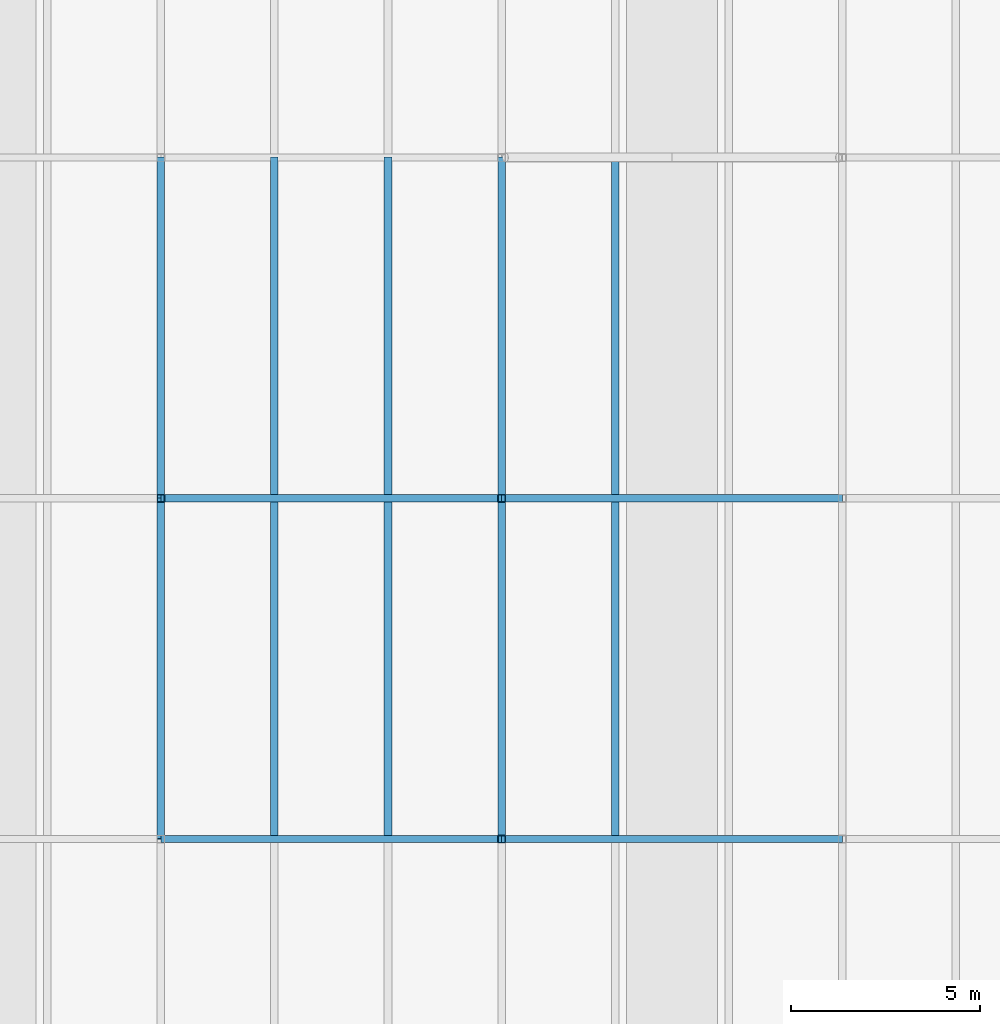
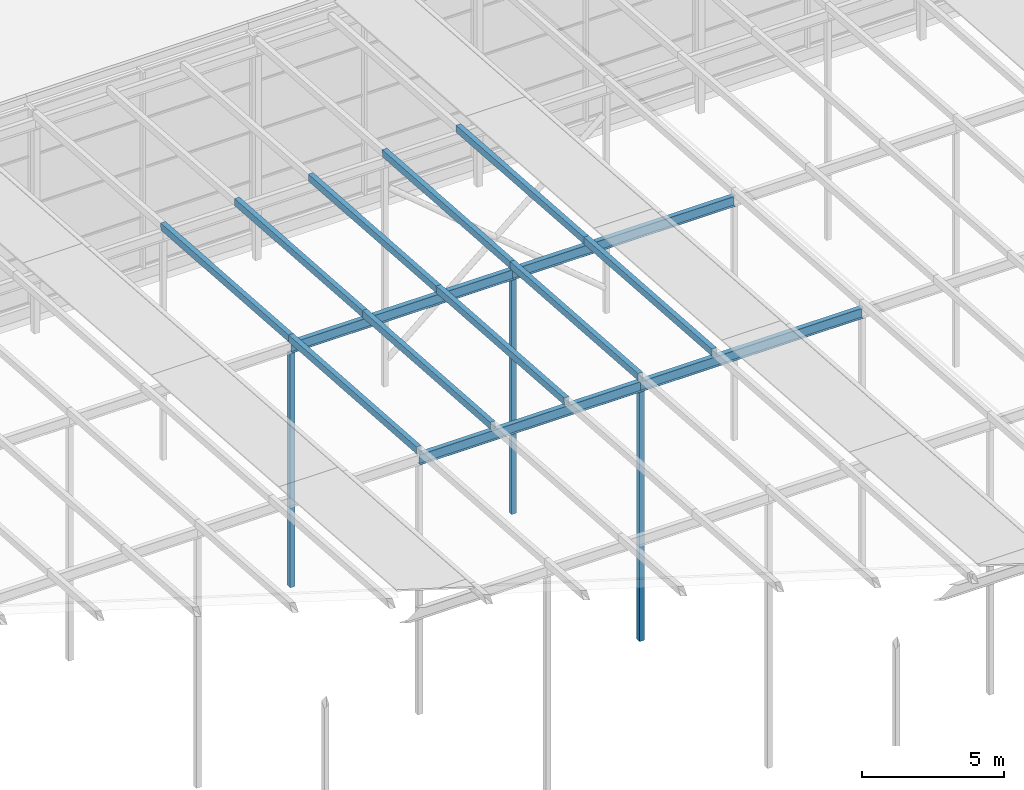
# One storey, part 34 of 84: 13 members, 4 beams.
"""IFC4 building model written with IfcOpenShell, lengths in metres."""

from ifc_helpers import new_model, si_unit, direction, frame, origin, origin_2d, place, context, subcontext, project, spatial, hollow_rectangle, i_section, extrude, material, material_profile, profile_set, type_object, element, save


model = new_model("IFC4")

# Units and contexts
model_context = context("Model", 3, precision=1e-05, world=origin(), true_north=direction((0.0, 1.0)))
body_context = subcontext(model_context, "Body", "Model", "MODEL_VIEW")
ifc_project = project(units=[si_unit("LENGTHUNIT", "METRE"), si_unit("AREAUNIT", "SQUARE_METRE"), si_unit("VOLUMEUNIT", "CUBIC_METRE"), si_unit("PLANEANGLEUNIT", "RADIAN"), si_unit("MASSUNIT", "GRAM", prefix="KILO")], contexts=[model_context])

# Site, building, storey
site_placement = place(None, origin())
site = spatial("IfcSite", under=ifc_project, at=site_placement, CompositionType="ELEMENT")
building_placement = place(site_placement, origin())
building = spatial("IfcBuilding", under=site, at=building_placement, Name="Silverbay Arena", CompositionType="ELEMENT")
storey_placement = place(building_placement, frame((0.0, 0.0, 47.10009765625)))
storey = spatial("IfcBuildingStorey", under=building, at=storey_placement, Name="ROOF", CompositionType="ELEMENT", Elevation=47.10009765625)

# Members
ifc_material_1 = material(Name="Steel S355", Category="steel")
ifc_material_profile_1 = material_profile(ifc_material_1, hollow_rectangle(XDim=0.199951171875, YDim=0.300048828125, WallThickness=0.00634765625, at=origin_2d()), Name="RHS 300x200x6.3")
ifc_profile_set_1 = profile_set([ifc_material_profile_1], Name="Steel S355")
member_type_1 = type_object("IfcMemberType", Name="Purlin RHS 300x200x6.3", PredefinedType="PURLIN", material=ifc_profile_set_1)
for number, where, z_axis, x_axis, name in (
    (1, (117.0, 108.0, 10.699462890625), (0.0, 0.997402911363, -0.072023832195), (-1.0, 0.0, 0.0), "ROOF PURLIN crown line 13 bay 10"),
    (2, (117.0, 117.0, 10.049560546875), (0.0, 0.997400967367, -0.07205074805), (-1.0, 0.0, 0.0), "ROOF PURLIN crown line 13 bay 11"),
    (3, (120.0, 108.0, 10.699462890625), (0.0, 0.997402911363, -0.072023832195), (-1.0, 0.0, 0.0), "ROOF PURLIN crown line 14 bay 10"),
    (4, (120.0, 117.0, 10.049560546875), (0.0, 0.997400967367, -0.07205074805), (-1.0, 0.0, 0.0), "ROOF PURLIN crown line 14 bay 11"),
    (5, (123.0, 108.0, 10.699462890625), (0.0, 0.997402911363, -0.072023832195), (-1.0, 0.0, 0.0), "ROOF PURLIN crown line 15 bay 10"),
    (6, (123.0, 117.0, 10.049560546875), (0.0, 0.997400967367, -0.07205074805), (-1.0, 0.0, 0.0), "ROOF PURLIN crown line 15 bay 11"),
    (7, (126.0, 108.0, 10.699462890625), (0.0, 0.997402911363, -0.072023832195), (-1.0, 0.0, 0.0), "ROOF PURLIN crown line 16 bay 10"),
    (8, (126.0, 117.0, 10.049560546875), (0.0, 0.997400967367, -0.07205074805), (-1.0, 0.0, 0.0), "ROOF PURLIN crown line 16 bay 11"),
    (9, (129.0, 108.0, 10.699462890625), (0.0, 0.997402911363, -0.072023832195), (-1.0, 0.0, 0.0), "ROOF PURLIN crown line 17 bay 10"),
    (10, (129.0, 117.0, 10.049560546875), (0.0, 0.997400967367, -0.07205074805), (-1.0, 0.0, 0.0), "ROOF PURLIN crown line 17 bay 11"),
):
    element("IfcMember", number, at=place(storey_placement, frame(where, z_axis=z_axis, x_axis=x_axis)), inside=storey, type_object=member_type_1, Name=name, PredefinedType="PURLIN", context=body_context, shape_type="SweptSolid", body=[
        extrude(hollow_rectangle(XDim=0.199951171875, YDim=0.300048828125, WallThickness=0.00634765625, at=origin_2d()), origin(), (0.0, 0.0, 1.0), 9.0234375),
    ])

# Beams
ifc_material_2 = material(Name="Steel S355", Category="steel")
ifc_material_profile_2 = material_profile(ifc_material_2, i_section(OverallWidth=0.18994140625, OverallDepth=0.453369140625, WebThickness=0.008544921875, FlangeThickness=0.0126953125, at=origin_2d()), Name="UB 457x191x67")
ifc_profile_set_2 = profile_set([ifc_material_profile_2], Name="Steel S355")
beam_type = type_object("IfcBeamType", Name="Ring beam UB 457x191x67", PredefinedType="BEAM", material=ifc_profile_set_2)
for number, where, z_axis, x_axis, name in (
    (11, (117.0, 108.0, 10.322509765625), (1.0, 0.0, 0.0), (0.0, 1.0, 0.0), "RING BEAM crown row 10 14-15"),
    (12, (126.0, 108.0, 10.322509765625), (1.0, 0.0, 0.0), (0.0, 1.0, 0.0), "RING BEAM crown row 10 15-16"),
    (13, (117.0, 117.0, 9.67236328125), (1.0, 0.0, 0.0), (0.0, 1.0, 0.0), "RING BEAM crown row 11 14-15"),
    (14, (126.0, 117.0, 9.67236328125), (1.0, 0.0, 0.0), (0.0, 1.0, 0.0), "RING BEAM crown row 11 15-16"),
):
    element("IfcBeam", number, at=place(storey_placement, frame(where, z_axis=z_axis, x_axis=x_axis)), inside=storey, type_object=beam_type, Name=name, PredefinedType="BEAM", context=body_context, shape_type="SweptSolid", body=[
        extrude(i_section(OverallWidth=0.18994140625, OverallDepth=0.453369140625, WebThickness=0.008544921875, FlangeThickness=0.0126953125, at=origin_2d()), origin(), (0.0, 0.0, 1.0), 9.0),
    ])

# Members
ifc_material_3 = material(Name="Steel S355", Category="steel")
ifc_material_profile_3 = material_profile(ifc_material_3, hollow_rectangle(XDim=0.199951171875, YDim=0.199951171875, WallThickness=0.008056640625, at=origin_2d()), Name="SHS 200x200x8")
ifc_profile_set_3 = profile_set([ifc_material_profile_3], Name="Steel S355")
member_type_2 = type_object("IfcMemberType", Name="Roof post SHS 200x200x8", PredefinedType="POST", material=ifc_profile_set_3)
member_1_placement = place(storey_placement, frame((117.0, 117.0, -0.60009765625), z_axis=(0.0, 0.0, 1.0), x_axis=(1.0, 0.0, 0.0)))
element("IfcMember", 15, at=member_1_placement, inside=storey, type_object=member_type_2, Name="ROOF CROWN POST 14 row 11", PredefinedType="POST", context=body_context, shape_type="SweptSolid", body=[
    extrude(hollow_rectangle(XDim=0.199951171875, YDim=0.199951171875, WallThickness=0.008056640625, at=origin_2d()), origin(), (0.0, 0.0, 1.0), 10.0458984375),
])
member_2_placement = place(storey_placement, frame((126.0, 108.0, -0.60009765625), z_axis=(0.0, 0.0, 1.0), x_axis=(1.0, 0.0, 0.0)))
element("IfcMember", 16, at=member_2_placement, inside=storey, type_object=member_type_2, Name="ROOF CROWN POST 15 row 10", PredefinedType="POST", context=body_context, shape_type="SweptSolid", body=[
    extrude(hollow_rectangle(XDim=0.199951171875, YDim=0.199951171875, WallThickness=0.008056640625, at=origin_2d()), origin(), (0.0, 0.0, 1.0), 10.69580078125),
])
member_3_placement = place(storey_placement, frame((126.0, 117.0, -0.60009765625), z_axis=(0.0, 0.0, 1.0), x_axis=(1.0, 0.0, 0.0)))
element("IfcMember", 17, at=member_3_placement, inside=storey, type_object=member_type_2, Name="ROOF CROWN POST 15 row 11", PredefinedType="POST", context=body_context, shape_type="SweptSolid", body=[
    extrude(hollow_rectangle(XDim=0.199951171875, YDim=0.199951171875, WallThickness=0.008056640625, at=origin_2d()), origin(), (0.0, 0.0, 1.0), 10.0458984375),
])

save(model, "model.ifc")
